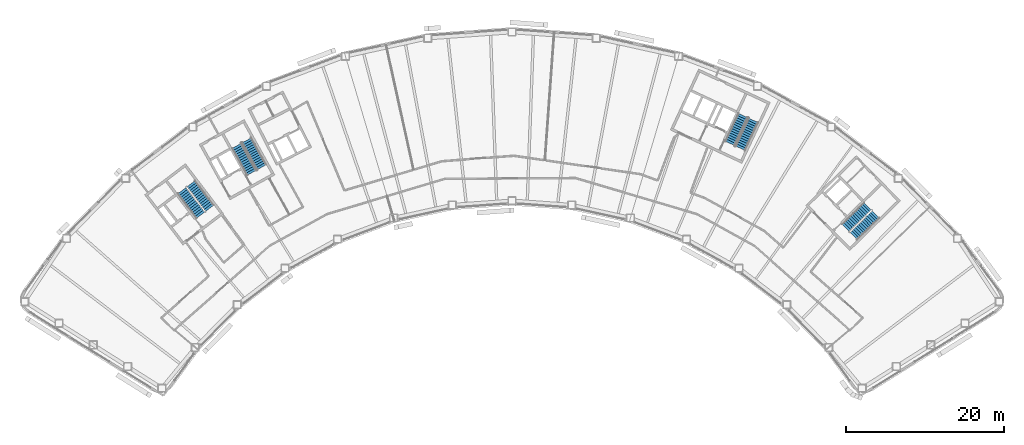
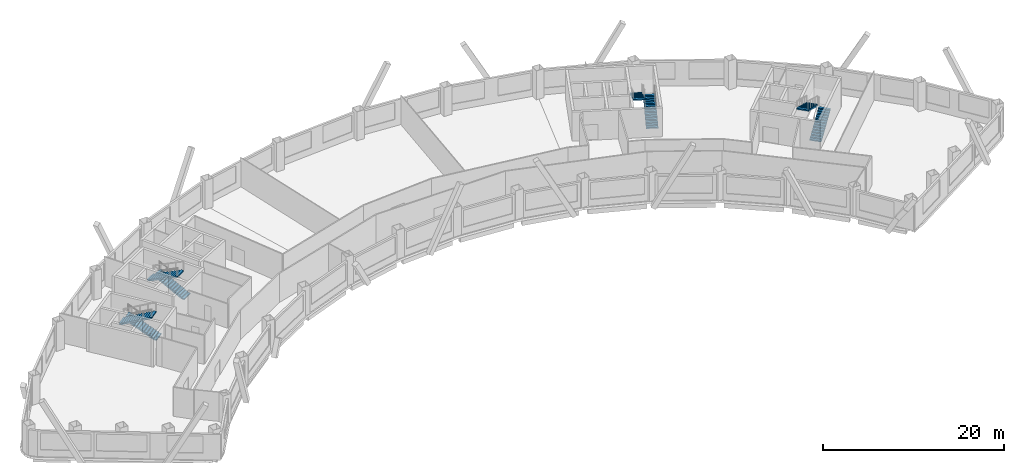
# One storey, part 9 of 11: 8 stair flights, 4 elements without a shape of their own.
"""IFC4 building model written with IfcOpenShell, lengths in metres."""

from ifc_helpers import new_model, si_unit, direction, frame, origin, place, context, subcontext, project, spatial, polyline, outline, extrude, material, type_object, element, aggregate, save


model = new_model("IFC4")

# Units and contexts
model_context = context("Model", 3, precision=1e-05, world=origin(), true_north=direction((0.0, 1.0)))
body_context = subcontext(model_context, "Body", "Model", "MODEL_VIEW")
ifc_project = project(units=[si_unit("LENGTHUNIT", "METRE"), si_unit("AREAUNIT", "SQUARE_METRE"), si_unit("VOLUMEUNIT", "CUBIC_METRE"), si_unit("PLANEANGLEUNIT", "RADIAN"), si_unit("MASSUNIT", "GRAM", prefix="KILO")], contexts=[model_context])

# Site, building, storey
site_placement = place(None, origin())
site = spatial("IfcSite", under=ifc_project, at=site_placement, CompositionType="ELEMENT")
building_placement = place(site_placement, origin())
building = spatial("IfcBuilding", under=site, at=building_placement, Name="Tuul Gate Civic Tower", CompositionType="ELEMENT")
storey_placement = place(building_placement, frame((0.0, 0.0, 146.60009765625)))
storey = spatial("IfcBuildingStorey", under=building, at=storey_placement, Name="Level 33", CompositionType="ELEMENT", Elevation=146.60009765625)

# Stair, stair flights
ifc_material_1 = material(Name="Concrete C40/50", Category="concrete")
stair_type = type_object("IfcStairType", Name="Exit stair", PredefinedType="HALF_TURN_STAIR", material=ifc_material_1)
stair_1_placement = place(storey_placement, origin())
stair_1 = element("IfcStair", 1, at=stair_1_placement, inside=storey, type_object=stair_type, Name="Level 33 ST-1", PredefinedType="HALF_TURN_STAIR")
ifc_material_2 = material(Name="Concrete C40/50", Category="concrete")
stair_flight_type = type_object("IfcStairFlightType", Name="Exit stair flight", PredefinedType="STRAIGHT", material=ifc_material_2)
stair_flight_1_placement = place(storey_placement, frame((-32.875244140625, -13.066650390625, 0.0), z_axis=(0.0, 0.0, 1.0), x_axis=(-0.605764474941, 0.795644016442, 0.0)))
stair_flight_1 = element("IfcStairFlight", 2, at=stair_flight_1_placement, type_object=stair_flight_type, Name="ST-1 flight 1", NumberOfRisers=14, NumberOfTreads=13, PredefinedType="STRAIGHT", RiserHeight=0.15, TreadLength=0.3, context=body_context, shape_type="SweptSolid", body=[
    extrude(outline(polyline([(0.0, 0.0), (0.0, 0.14990234375), (0.300048828125, 0.14990234375), (0.300048828125, 0.300048828125), (0.60009765625, 0.300048828125), (0.60009765625, 0.449951171875), (0.89990234375, 0.449951171875), (0.89990234375, 0.60009765625), (1.199951171875, 0.60009765625), (1.199951171875, 0.75), (1.5, 0.75), (1.5, 0.89990234375), (1.800048828125, 0.89990234375), (1.800048828125, 1.050048828125), (2.10009765625, 1.050048828125), (2.10009765625, 1.199951171875), (2.39990234375, 1.199951171875), (2.39990234375, 1.35009765625), (2.699951171875, 1.35009765625), (2.699951171875, 1.5), (3.0, 1.5), (3.0, 1.64990234375), (3.300048828125, 1.64990234375), (3.300048828125, 1.800048828125), (3.60009765625, 1.800048828125), (3.60009765625, 1.949951171875), (3.89990234375, 1.949951171875), (3.89990234375, 2.10009765625), (3.89990234375, 1.782470703125), (0.335205078125, 0.0), (0.0, 0.0)])), frame((0.0, 0.675048828125, 0.0), z_axis=(0.0, -1.0, 0.0), x_axis=(1.0, 0.0, 0.0)), (0.0, 0.0, 1.0), 1.35009765625),
])
stair_flight_2_placement = place(storey_placement, frame((-36.391357421875, -10.842041015625, 2.099853515625), z_axis=(0.0, 0.0, 1.0), x_axis=(0.605764474941, -0.795644016442, 0.0)))
stair_flight_2 = element("IfcStairFlight", 3, at=stair_flight_2_placement, type_object=stair_flight_type, Name="ST-1 flight 2", NumberOfRisers=14, NumberOfTreads=13, PredefinedType="STRAIGHT", RiserHeight=0.15, TreadLength=0.3, context=body_context, shape_type="SweptSolid", body=[
    extrude(outline(polyline([(0.0, 0.0), (0.0, 0.14990234375), (0.300048828125, 0.14990234375), (0.300048828125, 0.300048828125), (0.60009765625, 0.300048828125), (0.60009765625, 0.449951171875), (0.89990234375, 0.449951171875), (0.89990234375, 0.60009765625), (1.199951171875, 0.60009765625), (1.199951171875, 0.75), (1.5, 0.75), (1.5, 0.89990234375), (1.800048828125, 0.89990234375), (1.800048828125, 1.050048828125), (2.10009765625, 1.050048828125), (2.10009765625, 1.199951171875), (2.39990234375, 1.199951171875), (2.39990234375, 1.35009765625), (2.699951171875, 1.35009765625), (2.699951171875, 1.5), (3.0, 1.5), (3.0, 1.64990234375), (3.300048828125, 1.64990234375), (3.300048828125, 1.800048828125), (3.60009765625, 1.800048828125), (3.60009765625, 1.949951171875), (3.89990234375, 1.949951171875), (3.89990234375, 2.10009765625), (3.89990234375, 1.782470703125), (0.335205078125, 0.0), (0.0, 0.0)])), frame((0.0, 0.675048828125, 0.0), z_axis=(0.0, -1.0, 0.0), x_axis=(1.0, 0.0, 0.0)), (0.0, 0.0, 1.0), 1.35009765625),
])
aggregate(stair_1, [stair_flight_1, stair_flight_2])

stair_2_placement = place(storey_placement, origin())
stair_2 = element("IfcStair", 4, at=stair_2_placement, inside=storey, type_object=stair_type, Name="Level 33 ST-2", PredefinedType="HALF_TURN_STAIR")
stair_flight_3_placement = place(storey_placement, frame((-26.29150390625, -7.87646484375, 0.0), z_axis=(0.0, 0.0, 1.0), x_axis=(-0.484761763766, 0.874646232708, 0.0)))
stair_flight_3 = element("IfcStairFlight", 5, at=stair_flight_3_placement, type_object=stair_flight_type, Name="ST-2 flight 1", NumberOfRisers=14, NumberOfTreads=13, PredefinedType="STRAIGHT", RiserHeight=0.15, TreadLength=0.3, context=body_context, shape_type="SweptSolid", body=[
    extrude(outline(polyline([(0.0, 0.0), (0.0, 0.14990234375), (0.300048828125, 0.14990234375), (0.300048828125, 0.300048828125), (0.60009765625, 0.300048828125), (0.60009765625, 0.449951171875), (0.89990234375, 0.449951171875), (0.89990234375, 0.60009765625), (1.199951171875, 0.60009765625), (1.199951171875, 0.75), (1.5, 0.75), (1.5, 0.89990234375), (1.800048828125, 0.89990234375), (1.800048828125, 1.050048828125), (2.10009765625, 1.050048828125), (2.10009765625, 1.199951171875), (2.39990234375, 1.199951171875), (2.39990234375, 1.35009765625), (2.699951171875, 1.35009765625), (2.699951171875, 1.5), (3.0, 1.5), (3.0, 1.64990234375), (3.300048828125, 1.64990234375), (3.300048828125, 1.800048828125), (3.60009765625, 1.800048828125), (3.60009765625, 1.949951171875), (3.89990234375, 1.949951171875), (3.89990234375, 2.10009765625), (3.89990234375, 1.782470703125), (0.335205078125, 0.0), (0.0, 0.0)])), frame((0.0, 0.675048828125, 0.0), z_axis=(0.0, -1.0, 0.0), x_axis=(1.0, 0.0, 0.0)), (0.0, 0.0, 1.0), 1.35009765625),
])
stair_flight_4_placement = place(storey_placement, frame((-29.450439453125, -5.168212890625, 2.099853515625), z_axis=(0.0, 0.0, 1.0), x_axis=(0.484761763766, -0.874646232708, 0.0)))
stair_flight_4 = element("IfcStairFlight", 6, at=stair_flight_4_placement, type_object=stair_flight_type, Name="ST-2 flight 2", NumberOfRisers=14, NumberOfTreads=13, PredefinedType="STRAIGHT", RiserHeight=0.15, TreadLength=0.3, context=body_context, shape_type="SweptSolid", body=[
    extrude(outline(polyline([(0.0, 0.0), (0.0, 0.14990234375), (0.300048828125, 0.14990234375), (0.300048828125, 0.300048828125), (0.60009765625, 0.300048828125), (0.60009765625, 0.449951171875), (0.89990234375, 0.449951171875), (0.89990234375, 0.60009765625), (1.199951171875, 0.60009765625), (1.199951171875, 0.75), (1.5, 0.75), (1.5, 0.89990234375), (1.800048828125, 0.89990234375), (1.800048828125, 1.050048828125), (2.10009765625, 1.050048828125), (2.10009765625, 1.199951171875), (2.39990234375, 1.199951171875), (2.39990234375, 1.35009765625), (2.699951171875, 1.35009765625), (2.699951171875, 1.5), (3.0, 1.5), (3.0, 1.64990234375), (3.300048828125, 1.64990234375), (3.300048828125, 1.800048828125), (3.60009765625, 1.800048828125), (3.60009765625, 1.949951171875), (3.89990234375, 1.949951171875), (3.89990234375, 2.10009765625), (3.89990234375, 1.782470703125), (0.335205078125, 0.0), (0.0, 0.0)])), frame((0.0, 0.675048828125, 0.0), z_axis=(0.0, -1.0, 0.0), x_axis=(1.0, 0.0, 0.0)), (0.0, 0.0, 1.0), 1.35009765625),
])
aggregate(stair_2, [stair_flight_3, stair_flight_4])

stair_3_placement = place(storey_placement, origin())
stair_3 = element("IfcStair", 7, at=stair_3_placement, inside=storey, type_object=stair_type, Name="Level 33 ST-3", PredefinedType="HALF_TURN_STAIR")
stair_flight_5_placement = place(storey_placement, frame((48.61376953125, -16.581787109375, 0.0), z_axis=(0.0, 0.0, 1.0), x_axis=(0.714127290059, 0.700015866672, 0.0)))
stair_flight_5 = element("IfcStairFlight", 8, at=stair_flight_5_placement, type_object=stair_flight_type, Name="ST-3 flight 1", NumberOfRisers=14, NumberOfTreads=13, PredefinedType="STRAIGHT", RiserHeight=0.15, TreadLength=0.3, context=body_context, shape_type="SweptSolid", body=[
    extrude(outline(polyline([(0.0, 0.0), (0.0, 0.14990234375), (0.300048828125, 0.14990234375), (0.300048828125, 0.300048828125), (0.60009765625, 0.300048828125), (0.60009765625, 0.449951171875), (0.89990234375, 0.449951171875), (0.89990234375, 0.60009765625), (1.199951171875, 0.60009765625), (1.199951171875, 0.75), (1.5, 0.75), (1.5, 0.89990234375), (1.800048828125, 0.89990234375), (1.800048828125, 1.050048828125), (2.10009765625, 1.050048828125), (2.10009765625, 1.199951171875), (2.39990234375, 1.199951171875), (2.39990234375, 1.35009765625), (2.699951171875, 1.35009765625), (2.699951171875, 1.5), (3.0, 1.5), (3.0, 1.64990234375), (3.300048828125, 1.64990234375), (3.300048828125, 1.800048828125), (3.60009765625, 1.800048828125), (3.60009765625, 1.949951171875), (3.89990234375, 1.949951171875), (3.89990234375, 2.10009765625), (3.89990234375, 1.782470703125), (0.335205078125, 0.0), (0.0, 0.0)])), frame((0.0, 0.675048828125, 0.0), z_axis=(0.0, -1.0, 0.0), x_axis=(1.0, 0.0, 0.0)), (0.0, 0.0, 1.0), 1.35009765625),
])
stair_flight_6_placement = place(storey_placement, frame((50.3837890625, -12.816162109375, 2.099853515625), z_axis=(0.0, 0.0, 1.0), x_axis=(-0.714127290059, -0.700015866672, 0.0)))
stair_flight_6 = element("IfcStairFlight", 9, at=stair_flight_6_placement, type_object=stair_flight_type, Name="ST-3 flight 2", NumberOfRisers=14, NumberOfTreads=13, PredefinedType="STRAIGHT", RiserHeight=0.15, TreadLength=0.3, context=body_context, shape_type="SweptSolid", body=[
    extrude(outline(polyline([(0.0, 0.0), (0.0, 0.14990234375), (0.300048828125, 0.14990234375), (0.300048828125, 0.300048828125), (0.60009765625, 0.300048828125), (0.60009765625, 0.449951171875), (0.89990234375, 0.449951171875), (0.89990234375, 0.60009765625), (1.199951171875, 0.60009765625), (1.199951171875, 0.75), (1.5, 0.75), (1.5, 0.89990234375), (1.800048828125, 0.89990234375), (1.800048828125, 1.050048828125), (2.10009765625, 1.050048828125), (2.10009765625, 1.199951171875), (2.39990234375, 1.199951171875), (2.39990234375, 1.35009765625), (2.699951171875, 1.35009765625), (2.699951171875, 1.5), (3.0, 1.5), (3.0, 1.64990234375), (3.300048828125, 1.64990234375), (3.300048828125, 1.800048828125), (3.60009765625, 1.800048828125), (3.60009765625, 1.949951171875), (3.89990234375, 1.949951171875), (3.89990234375, 2.10009765625), (3.89990234375, 1.782470703125), (0.335205078125, 0.0), (0.0, 0.0)])), frame((0.0, 0.675048828125, 0.0), z_axis=(0.0, -1.0, 0.0), x_axis=(1.0, 0.0, 0.0)), (0.0, 0.0, 1.0), 1.35009765625),
])
aggregate(stair_3, [stair_flight_5, stair_flight_6])

stair_4_placement = place(storey_placement, origin())
stair_4 = element("IfcStair", 10, at=stair_4_placement, inside=storey, type_object=stair_type, Name="Level 33 ST-4", PredefinedType="HALF_TURN_STAIR")
stair_flight_7_placement = place(storey_placement, frame((34.278564453125, -5.478515625, 0.0), z_axis=(0.0, 0.0, 1.0), x_axis=(0.422576295988, 0.906327354806, 0.0)))
stair_flight_7 = element("IfcStairFlight", 11, at=stair_flight_7_placement, type_object=stair_flight_type, Name="ST-4 flight 1", NumberOfRisers=14, NumberOfTreads=13, PredefinedType="STRAIGHT", RiserHeight=0.15, TreadLength=0.3, context=body_context, shape_type="SweptSolid", body=[
    extrude(outline(polyline([(0.0, 0.0), (0.0, 0.14990234375), (0.300048828125, 0.14990234375), (0.300048828125, 0.300048828125), (0.60009765625, 0.300048828125), (0.60009765625, 0.449951171875), (0.89990234375, 0.449951171875), (0.89990234375, 0.60009765625), (1.199951171875, 0.60009765625), (1.199951171875, 0.75), (1.5, 0.75), (1.5, 0.89990234375), (1.800048828125, 0.89990234375), (1.800048828125, 1.050048828125), (2.10009765625, 1.050048828125), (2.10009765625, 1.199951171875), (2.39990234375, 1.199951171875), (2.39990234375, 1.35009765625), (2.699951171875, 1.35009765625), (2.699951171875, 1.5), (3.0, 1.5), (3.0, 1.64990234375), (3.300048828125, 1.64990234375), (3.300048828125, 1.800048828125), (3.60009765625, 1.800048828125), (3.60009765625, 1.949951171875), (3.89990234375, 1.949951171875), (3.89990234375, 2.10009765625), (3.89990234375, 1.782470703125), (0.335205078125, 0.0), (0.0, 0.0)])), frame((0.0, 0.675048828125, 0.0), z_axis=(0.0, -1.0, 0.0), x_axis=(1.0, 0.0, 0.0)), (0.0, 0.0, 1.0), 1.35009765625),
])
stair_flight_8_placement = place(storey_placement, frame((34.612548828125, -1.3310546875, 2.099853515625), z_axis=(0.0, 0.0, 1.0), x_axis=(-0.422576295988, -0.906327354806, 0.0)))
stair_flight_8 = element("IfcStairFlight", 12, at=stair_flight_8_placement, type_object=stair_flight_type, Name="ST-4 flight 2", NumberOfRisers=14, NumberOfTreads=13, PredefinedType="STRAIGHT", RiserHeight=0.15, TreadLength=0.3, context=body_context, shape_type="SweptSolid", body=[
    extrude(outline(polyline([(0.0, 0.0), (0.0, 0.14990234375), (0.300048828125, 0.14990234375), (0.300048828125, 0.300048828125), (0.60009765625, 0.300048828125), (0.60009765625, 0.449951171875), (0.89990234375, 0.449951171875), (0.89990234375, 0.60009765625), (1.199951171875, 0.60009765625), (1.199951171875, 0.75), (1.5, 0.75), (1.5, 0.89990234375), (1.800048828125, 0.89990234375), (1.800048828125, 1.050048828125), (2.10009765625, 1.050048828125), (2.10009765625, 1.199951171875), (2.39990234375, 1.199951171875), (2.39990234375, 1.35009765625), (2.699951171875, 1.35009765625), (2.699951171875, 1.5), (3.0, 1.5), (3.0, 1.64990234375), (3.300048828125, 1.64990234375), (3.300048828125, 1.800048828125), (3.60009765625, 1.800048828125), (3.60009765625, 1.949951171875), (3.89990234375, 1.949951171875), (3.89990234375, 2.10009765625), (3.89990234375, 1.782470703125), (0.335205078125, 0.0), (0.0, 0.0)])), frame((0.0, 0.675048828125, 0.0), z_axis=(0.0, -1.0, 0.0), x_axis=(1.0, 0.0, 0.0)), (0.0, 0.0, 1.0), 1.35009765625),
])
aggregate(stair_4, [stair_flight_7, stair_flight_8])

save(model, "model.ifc")
